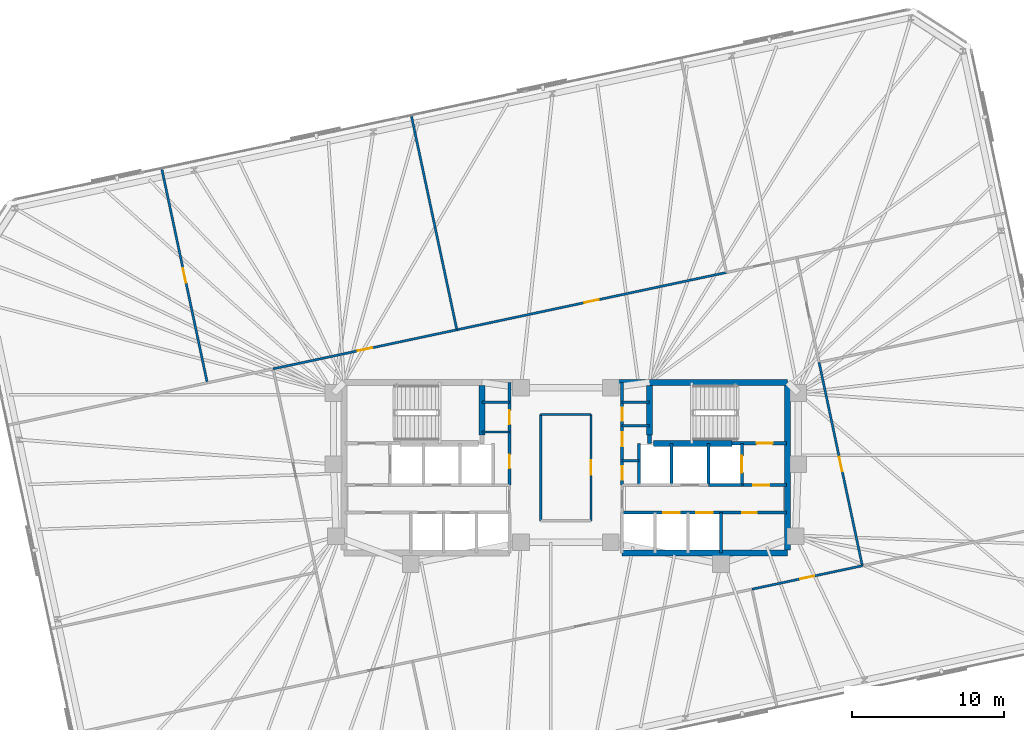
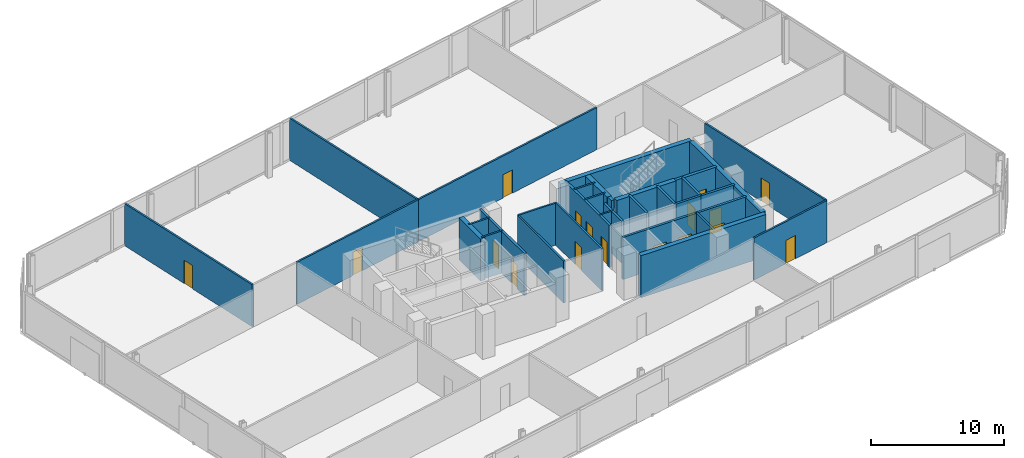
# One storey, part 12 of 15: 32 walls, 17 doors, 17 openings.
"""IFC4 building model written with IfcOpenShell, lengths in metres."""

from ifc_helpers import new_model, si_unit, direction, frame, frame_2d, origin, place, context, subcontext, project, spatial, rectangle, extrude, material, layer, layer_set, type_object, element, fill, save


model = new_model("IFC4")

# Units and contexts
model_context = context("Model", 3, precision=1e-05, world=origin(), true_north=direction((0.0, 1.0)))
body_context = subcontext(model_context, "Body", "Model", "MODEL_VIEW")
ifc_project = project(units=[si_unit("LENGTHUNIT", "METRE"), si_unit("AREAUNIT", "SQUARE_METRE"), si_unit("VOLUMEUNIT", "CUBIC_METRE"), si_unit("PLANEANGLEUNIT", "RADIAN"), si_unit("MASSUNIT", "GRAM", prefix="KILO")], contexts=[model_context])

# Site, building, storey
site_placement = place(None, origin())
site = spatial("IfcSite", under=ifc_project, at=site_placement, CompositionType="ELEMENT")
building_placement = place(site_placement, origin())
building = spatial("IfcBuilding", under=site, at=building_placement, Name="Menara Jurai Vektor", CompositionType="ELEMENT")
storey_placement = place(building_placement, frame((0.0, 0.0, 147.300048828125)))
storey = spatial("IfcBuildingStorey", under=building, at=storey_placement, Name="L37", CompositionType="ELEMENT", Elevation=147.300048828125)

# Wall, opening, door
ifc_material_1 = material(Name="Concrete C40/50", Category="concrete")
ifc_layer_1 = layer(ifc_material_1, 0.25)
ifc_layer_set_1 = layer_set([ifc_layer_1], Name="Concrete C40/50")
wall_type_1 = type_object("IfcWallType", Name="INT-WALL-CORE-250", PredefinedType="STANDARD", material=ifc_layer_set_1)
wall_1_placement = place(storey_placement, frame((10.89990234375, 1.60009765625, 0.0), z_axis=(0.0, 0.0, 1.0), x_axis=(1.0, 0.0, 0.0)))
wall_1 = element("IfcWall", 1, at=wall_1_placement, inside=storey, type_object=wall_type_1, Name="Interior Wall IW-250 L37", PredefinedType="STANDARD", context=body_context, shape_type="SweptSolid", body=[
    extrude(rectangle(XDim=3.60009765625, YDim=0.25, at=frame_2d((1.800048828125, 0.0))), origin(), (0.0, 0.0, 1.0), 3.875),
])
opening_1_placement = place(wall_1_placement, frame((1.6201171875, 0.0, 0.0)))
opening_1 = element("IfcOpeningElement", 2, at=opening_1_placement, cuts=wall_1, Name="Opening D-L37-ST2", PredefinedType="OPENING", context=body_context, shape_type="SweptSolid", body=[
    extrude(rectangle(XDim=1.050048828125, YDim=2.14990234375, at=frame_2d((0.52490234375, 1.074951171875))), frame((0.0, 0.135009765625, 0.0), z_axis=(0.0, -1.0, 0.0), x_axis=(1.0, 0.0, 0.0)), (0.0, 0.0, 1.0), 0.27001953125),
])
ifc_material_2 = material(Name="Fire-Rated Steel Door", Category="steel")
door_type_1 = type_object("IfcDoorType", Name="DR-STAIR-1050", OperationType="NOTDEFINED", PredefinedType="DOOR", material=ifc_material_2)
door_1_placement = place(opening_1_placement, origin())
door_1 = element("IfcDoor", 3, at=door_1_placement, inside=storey, type_object=door_type_1, Name="Exit Stair ST2 Door L37", OperationType="SINGLE_SWING_LEFT", OverallHeight=2.14990234375, OverallWidth=1.050048828125, PredefinedType="DOOR", context=body_context, shape_type="SweptSolid", body=[
    extrude(rectangle(XDim=1.050048828125, YDim=2.14990234375, at=frame_2d((0.52490234375, 1.074951171875))), frame((0.0, 0.02490234375, 0.0), z_axis=(0.0, -1.0, 0.0), x_axis=(1.0, 0.0, 0.0)), (0.0, 0.0, 1.0), 0.050048828125),
])
fill(opening_1, door_1)

# Wall
wall_2_placement = place(storey_placement, frame((5.5, 1.60009765625, 0.0), z_axis=(0.0, 0.0, 1.0), x_axis=(0.0, 1.0, 0.0)))
element("IfcWall", 4, at=wall_2_placement, inside=storey, type_object=wall_type_1, Name="Interior Wall IW-250 L37", PredefinedType="STANDARD", context=body_context, shape_type="SweptSolid", body=[
    extrude(rectangle(XDim=0.5498046875, YDim=0.25, at=frame_2d((0.27490234375, 0.0))), origin(), (0.0, 0.0, 1.0), 3.875),
])

# Wall, opening, door
wall_3_placement = place(storey_placement, frame((11.550048828125, -1.14990234375, 0.0), z_axis=(0.0, 0.0, 1.0), x_axis=(0.0, 1.0, 0.0)))
wall_3 = element("IfcWall", 5, at=wall_3_placement, inside=storey, type_object=wall_type_1, Name="Interior Wall IW-250 L37", PredefinedType="STANDARD", context=body_context, shape_type="SweptSolid", body=[
    extrude(rectangle(XDim=2.75, YDim=0.199951171875, at=frame_2d((1.375, 0.0))), origin(), (0.0, 0.0, 1.0), 3.875),
])
opening_2_placement = place(wall_3_placement, frame((0.824951171875, 0.0, 0.0)))
opening_2 = element("IfcOpeningElement", 6, at=opening_2_placement, cuts=wall_3, Name="Opening LD-L37-FL2", PredefinedType="OPENING", context=body_context, shape_type="SweptSolid", body=[
    extrude(rectangle(XDim=1.10009765625, YDim=2.14990234375, at=frame_2d((0.550048828125, 1.074951171875))), frame((0.0, 0.10986328125, 0.0), z_axis=(0.0, -1.0, 0.0), x_axis=(1.0, 0.0, 0.0)), (0.0, 0.0, 1.0), 0.219970703125),
])
ifc_material_3 = material(Name="Stainless Steel Sliding Lift Landing Door", Category="steel")
door_type_2 = type_object("IfcDoorType", Name="DR-LIFT-FIRE-1100", OperationType="NOTDEFINED", PredefinedType="DOOR", material=ifc_material_3)
door_2_placement = place(opening_2_placement, origin())
door_2 = element("IfcDoor", 7, at=door_2_placement, inside=storey, type_object=door_type_2, Name="Lift Landing Door FL2 L37", OperationType="SLIDING_TO_RIGHT", OverallHeight=2.14990234375, OverallWidth=1.10009765625, PredefinedType="DOOR", context=body_context, shape_type="SweptSolid", body=[
    extrude(rectangle(XDim=1.10009765625, YDim=2.14990234375, at=frame_2d((0.550048828125, 1.074951171875))), frame((0.0, 0.02490234375, 0.0), z_axis=(0.0, -1.0, 0.0), x_axis=(1.0, 0.0, 0.0)), (0.0, 0.0, 1.0), 0.050048828125),
])
fill(opening_2, door_2)

# Wall
wall_4_placement = place(storey_placement, frame((9.35009765625, -1.14990234375, 0.0), z_axis=(0.0, 0.0, 1.0), x_axis=(0.0, 1.0, 0.0)))
element("IfcWall", 8, at=wall_4_placement, inside=storey, type_object=wall_type_1, Name="Interior Wall IW-250 L37", PredefinedType="STANDARD", context=body_context, shape_type="SweptSolid", body=[
    extrude(rectangle(XDim=2.75, YDim=0.199951171875, at=frame_2d((1.375, 0.0))), origin(), (0.0, 0.0, 1.0), 3.875),
])

# Wall, opening, door
wall_5_placement = place(storey_placement, frame((11.550048828125, -1.14990234375, 0.0), z_axis=(0.0, 0.0, 1.0), x_axis=(1.0, 0.0, 0.0)))
wall_5 = element("IfcWall", 9, at=wall_5_placement, inside=storey, type_object=wall_type_1, Name="Interior Wall IW-250 L37", PredefinedType="STANDARD", context=body_context, shape_type="SweptSolid", body=[
    extrude(rectangle(XDim=2.949951171875, YDim=0.199951171875, at=frame_2d((1.47509765625, 0.0))), origin(), (0.0, 0.0, 1.0), 3.875),
])
opening_3_placement = place(wall_5_placement, frame((0.75, 0.0, 0.0)))
opening_3 = element("IfcOpeningElement", 10, at=opening_3_placement, cuts=wall_5, Name="Opening D-L37-FFE", PredefinedType="OPENING", context=body_context, shape_type="SweptSolid", body=[
    extrude(rectangle(XDim=1.050048828125, YDim=2.179931640625, at=frame_2d((0.52490234375, 1.08984375))), frame((0.0, 0.10986328125, 0.0), z_axis=(0.0, -1.0, 0.0), x_axis=(1.0, 0.0, 0.0)), (0.0, 0.0, 1.0), 0.219970703125),
])
ifc_material_4 = material(Name="Fire-Rated Timber Door", Category="wood")
door_type_3 = type_object("IfcDoorType", Name="DR-LOBBY-1050", OperationType="NOTDEFINED", PredefinedType="DOOR", material=ifc_material_4)
door_3_placement = place(opening_3_placement, origin())
door_3 = element("IfcDoor", 11, at=door_3_placement, inside=storey, type_object=door_type_3, Name="Fire Lift Lobby Door E L37", OperationType="SINGLE_SWING_LEFT", OverallHeight=2.179931640625, OverallWidth=1.050048828125, PredefinedType="DOOR", context=body_context, shape_type="SweptSolid", body=[
    extrude(rectangle(XDim=1.050048828125, YDim=2.179931640625, at=frame_2d((0.52490234375, 1.08984375))), frame((0.0, 0.02490234375, 0.0), z_axis=(0.0, -1.0, 0.0), x_axis=(1.0, 0.0, 0.0)), (0.0, 0.0, 1.0), 0.050048828125),
])
fill(opening_3, door_3)

# Walls
wall_6_placement = place(storey_placement, frame((9.35009765625, -1.14990234375, 0.0), z_axis=(0.0, 0.0, 1.0), x_axis=(1.0, 0.0, 0.0)))
element("IfcWall", 12, at=wall_6_placement, inside=storey, type_object=wall_type_1, Name="Interior Wall IW-250 L37", PredefinedType="STANDARD", context=body_context, shape_type="SweptSolid", body=[
    extrude(rectangle(XDim=2.199951171875, YDim=0.199951171875, at=frame_2d((1.10009765625, 0.0))), origin(), (0.0, 0.0, 1.0), 3.875),
])
ifc_material_5 = material(Name="Gypsum Fireboard Partition", Category="gypsum")
ifc_layer_2 = layer(ifc_material_5, 0.14990234375)
ifc_layer_set_2 = layer_set([ifc_layer_2], Name="Gypsum Fireboard Partition")
wall_type_2 = type_object("IfcWallType", Name="INT-WALL-CORR-150", PredefinedType="PARTITIONING", material=ifc_layer_set_2)
for number, where, z_axis, x_axis, name in (
    (13, (-5.5, 4.300048828125, 0.0), (0.0, 0.0, 1.0), (1.0, 0.0, 0.0), "Interior Wall IW-150 L37"),
    (14, (-5.5, 2.35009765625, 0.0), (0.0, 0.0, 1.0), (1.0, 0.0, 0.0), "Interior Wall IW-150 L37"),
    (15, (3.699951171875, 4.300048828125, 0.0), (0.0, 0.0, 1.0), (1.0, 0.0, 0.0), "Interior Wall IW-150 L37"),
):
    element("IfcWall", number, at=place(storey_placement, frame(where, z_axis=z_axis, x_axis=x_axis)), inside=storey, type_object=wall_type_2, Name=name, PredefinedType="PARTITIONING", context=body_context, shape_type="SweptSolid", body=[
        extrude(rectangle(XDim=1.800048828125, YDim=0.14990234375, at=frame_2d((0.89990234375, 0.0))), origin(), (0.0, 0.0, 1.0), 3.875),
    ])
wall_7_placement = place(storey_placement, frame((3.699951171875, 0.449951171875, 0.0), z_axis=(0.0, 0.0, 1.0), x_axis=(1.0, 0.0, 0.0)))
element("IfcWall", 16, at=wall_7_placement, inside=storey, type_object=wall_type_2, Name="Interior Wall IW-150 L37", PredefinedType="PARTITIONING", context=body_context, shape_type="SweptSolid", body=[
    extrude(rectangle(XDim=1.090087890625, YDim=0.14990234375, at=frame_2d((0.544921875, 0.0))), origin(), (0.0, 0.0, 1.0), 3.875),
])
wall_8_placement = place(storey_placement, frame((3.699951171875, 2.75, 0.0), z_axis=(0.0, 0.0, 1.0), x_axis=(1.0, 0.0, 0.0)))
element("IfcWall", 17, at=wall_8_placement, inside=storey, type_object=wall_type_2, Name="Interior Wall IW-150 L37", PredefinedType="PARTITIONING", context=body_context, shape_type="SweptSolid", body=[
    extrude(rectangle(XDim=1.800048828125, YDim=0.14990234375, at=frame_2d((0.89990234375, 0.0))), origin(), (0.0, 0.0, 1.0), 3.875),
])
wall_9_placement = place(storey_placement, frame((-1.64990234375, -3.489501953125, 0.0), z_axis=(0.0, 0.0, 1.0), x_axis=(-3.4979712e-05, 0.999999999388, 0.0)))
element("IfcWall", 18, at=wall_9_placement, inside=storey, type_object=wall_type_2, Name="Interior Wall IW-150 L37", PredefinedType="PARTITIONING", context=body_context, shape_type="SweptSolid", body=[
    extrude(rectangle(XDim=6.9794921875, YDim=0.14990234375, at=frame_2d((3.48974609375, 0.0))), origin(), (0.0, 0.0, 1.0), 3.875),
])
wall_10_placement = place(storey_placement, frame((-1.650146484375, 3.489990234375, 0.0), z_axis=(0.0, 0.0, 1.0), x_axis=(1.0, 0.0, 0.0)))
element("IfcWall", 19, at=wall_10_placement, inside=storey, type_object=wall_type_2, Name="Interior Wall IW-150 L37", PredefinedType="PARTITIONING", context=body_context, shape_type="SweptSolid", body=[
    extrude(rectangle(XDim=3.300048828125, YDim=0.14990234375, at=frame_2d((1.64990234375, 0.0))), origin(), (0.0, 0.0, 1.0), 3.875),
])

# Wall, opening, door
wall_11_placement = place(storey_placement, frame((1.650390625, -3.490234375, 0.0), z_axis=(0.0, 0.0, 1.0), x_axis=(-6.9952083e-05, 0.999999997553, 0.0)))
wall_11 = element("IfcWall", 20, at=wall_11_placement, inside=storey, type_object=wall_type_2, Name="Interior Wall IW-150 L37", PredefinedType="PARTITIONING", context=body_context, shape_type="SweptSolid", body=[
    extrude(rectangle(XDim=6.980224609375, YDim=0.14990234375, at=frame_2d((3.490234375, 0.0))), origin(), (0.0, 0.0, 1.0), 3.875),
])
opening_4_placement = place(wall_11_placement, frame((3.01513671875, 0.0, 0.0)))
opening_4 = element("IfcOpeningElement", 21, at=opening_4_placement, cuts=wall_11, Name="Opening D37-08", PredefinedType="OPENING", context=body_context, shape_type="SweptSolid", body=[
    extrude(rectangle(XDim=0.949951171875, YDim=2.14990234375, at=frame_2d((0.47509765625, 1.074951171875))), frame((0.0, 0.0849609375, 0.0), z_axis=(0.0, -1.0, 0.0), x_axis=(1.0, 0.0, 0.0)), (0.0, 0.0, 1.0), 0.169921875),
])
ifc_material_6 = material(Name="Solid Core Timber Fire Door", Category="wood")
door_type_4 = type_object("IfcDoorType", Name="DR-ENTRY-950", OperationType="NOTDEFINED", PredefinedType="DOOR", material=ifc_material_6)
door_4_placement = place(opening_4_placement, origin())
door_4 = element("IfcDoor", 22, at=door_4_placement, inside=storey, type_object=door_type_4, Name="Interior Door D37-08", OperationType="SINGLE_SWING_LEFT", OverallHeight=2.14990234375, OverallWidth=0.949951171875, PredefinedType="DOOR", context=body_context, shape_type="SweptSolid", body=[
    extrude(rectangle(XDim=0.949951171875, YDim=2.14990234375, at=frame_2d((0.47509765625, 1.074951171875))), frame((0.0, 0.02490234375, 0.0), z_axis=(0.0, -1.0, 0.0), x_axis=(1.0, 0.0, 0.0)), (0.0, 0.0, 1.0), 0.050048828125),
])
fill(opening_4, door_4)

wall_12_placement = place(storey_placement, frame((-19.216552734375, 6.4892578125, 0.0), z_axis=(0.0, 0.0, 1.0), x_axis=(0.978147578989, 0.207911793121, 0.0)))
wall_12 = element("IfcWall", 23, at=wall_12_placement, inside=storey, type_object=wall_type_2, Name="Interior Wall IW-150 L37", PredefinedType="PARTITIONING", context=body_context, shape_type="SweptSolid", body=[
    extrude(rectangle(XDim=12.33203125, YDim=0.14990234375, at=frame_2d((6.166015625, 0.0))), origin(), (0.0, 0.0, 1.0), 3.875),
])
opening_5_placement = place(wall_12_placement, frame((5.69091796875, 0.0, 0.0)))
opening_5 = element("IfcOpeningElement", 24, at=opening_5_placement, cuts=wall_12, Name="Opening D37-09", PredefinedType="OPENING", context=body_context, shape_type="SweptSolid", body=[
    extrude(rectangle(XDim=0.949951171875, YDim=2.14990234375, at=frame_2d((0.47509765625, 1.074951171875))), frame((0.0, 0.0849609375, 0.0), z_axis=(0.0, -1.0, 0.0), x_axis=(1.0, 0.0, 0.0)), (0.0, 0.0, 1.0), 0.169921875),
])
door_5_placement = place(opening_5_placement, origin())
door_5 = element("IfcDoor", 25, at=door_5_placement, inside=storey, type_object=door_type_4, Name="Interior Door D37-09", OperationType="SINGLE_SWING_RIGHT", OverallHeight=2.14990234375, OverallWidth=0.949951171875, PredefinedType="DOOR", context=body_context, shape_type="SweptSolid", body=[
    extrude(rectangle(XDim=0.949951171875, YDim=2.14990234375, at=frame_2d((0.47509765625, 1.074951171875))), frame((0.0, 0.02490234375, 0.0), z_axis=(0.0, -1.0, 0.0), x_axis=(1.0, 0.0, 0.0)), (0.0, 0.0, 1.0), 0.050048828125),
])
fill(opening_5, door_5)

wall_13_placement = place(storey_placement, frame((-7.154052734375, 9.05322265625, 0.0), z_axis=(0.0, 0.0, 1.0), x_axis=(0.978146707289, 0.207915894099, 0.0)))
wall_13 = element("IfcWall", 26, at=wall_13_placement, inside=storey, type_object=wall_type_2, Name="Interior Wall IW-150 L37", PredefinedType="PARTITIONING", context=body_context, shape_type="SweptSolid", body=[
    extrude(rectangle(XDim=18.090087890625, YDim=0.14990234375, at=frame_2d((9.044921875, 0.0))), origin(), (0.0, 0.0, 1.0), 3.875),
])
opening_6_placement = place(wall_13_placement, frame((8.570068359375, 0.0, 0.0)))
opening_6 = element("IfcOpeningElement", 27, at=opening_6_placement, cuts=wall_13, Name="Opening D37-10", PredefinedType="OPENING", context=body_context, shape_type="SweptSolid", body=[
    extrude(rectangle(XDim=0.949951171875, YDim=2.14990234375, at=frame_2d((0.47509765625, 1.074951171875))), frame((0.0, 0.0849609375, 0.0), z_axis=(0.0, -1.0, 0.0), x_axis=(1.0, 0.0, 0.0)), (0.0, 0.0, 1.0), 0.169921875),
])
door_6_placement = place(opening_6_placement, origin())
door_6 = element("IfcDoor", 28, at=door_6_placement, inside=storey, type_object=door_type_4, Name="Interior Door D37-10", OperationType="SINGLE_SWING_LEFT", OverallHeight=2.14990234375, OverallWidth=0.949951171875, PredefinedType="DOOR", context=body_context, shape_type="SweptSolid", body=[
    extrude(rectangle(XDim=0.949951171875, YDim=2.14990234375, at=frame_2d((0.47509765625, 1.074951171875))), frame((0.0, 0.02490234375, 0.0), z_axis=(0.0, -1.0, 0.0), x_axis=(1.0, 0.0, 0.0)), (0.0, 0.0, 1.0), 0.050048828125),
])
fill(opening_6, door_6)

wall_14_placement = place(storey_placement, frame((12.219970703125, -7.975830078125, 0.0), z_axis=(0.0, 0.0, 1.0), x_axis=(0.978150468613, 0.207898198049, 0.0)))
wall_14 = element("IfcWall", 29, at=wall_14_placement, inside=storey, type_object=wall_type_2, Name="Interior Wall IW-150 L37", PredefinedType="PARTITIONING", context=body_context, shape_type="SweptSolid", body=[
    extrude(rectangle(XDim=7.403076171875, YDim=0.14990234375, at=frame_2d((3.70166015625, 0.0))), origin(), (0.0, 0.0, 1.0), 3.875),
])
opening_7_placement = place(wall_14_placement, frame((3.2265625, 0.0, 0.0)))
opening_7 = element("IfcOpeningElement", 30, at=opening_7_placement, cuts=wall_14, Name="Opening D37-14", PredefinedType="OPENING", context=body_context, shape_type="SweptSolid", body=[
    extrude(rectangle(XDim=0.949951171875, YDim=2.14990234375, at=frame_2d((0.47509765625, 1.074951171875))), frame((0.0, 0.0849609375, 0.0), z_axis=(0.0, -1.0, 0.0), x_axis=(1.0, 0.0, 0.0)), (0.0, 0.0, 1.0), 0.169921875),
])
door_7_placement = place(opening_7_placement, origin())
door_7 = element("IfcDoor", 31, at=door_7_placement, inside=storey, type_object=door_type_4, Name="Interior Door D37-14", OperationType="SINGLE_SWING_LEFT", OverallHeight=2.14990234375, OverallWidth=0.949951171875, PredefinedType="DOOR", context=body_context, shape_type="SweptSolid", body=[
    extrude(rectangle(XDim=0.949951171875, YDim=2.14990234375, at=frame_2d((0.47509765625, 1.074951171875))), frame((0.0, 0.02490234375, 0.0), z_axis=(0.0, -1.0, 0.0), x_axis=(1.0, 0.0, 0.0)), (0.0, 0.0, 1.0), 0.050048828125),
])
fill(opening_7, door_7)

wall_15_placement = place(storey_placement, frame((19.461181640625, -6.436767578125, 0.0), z_axis=(0.0, 0.0, 1.0), x_axis=(-0.207908161816, 0.97814835084, 0.0)))
wall_15 = element("IfcWall", 32, at=wall_15_placement, inside=storey, type_object=wall_type_2, Name="Interior Wall IW-150 L37", PredefinedType="PARTITIONING", context=body_context, shape_type="SweptSolid", body=[
    extrude(rectangle(XDim=13.652099609375, YDim=0.14990234375, at=frame_2d((6.826171875, 0.0))), origin(), (0.0, 0.0, 1.0), 3.875),
])
opening_8_placement = place(wall_15_placement, frame((6.35107421875, 0.0, 0.0)))
opening_8 = element("IfcOpeningElement", 33, at=opening_8_placement, cuts=wall_15, Name="Opening D37-17", PredefinedType="OPENING", context=body_context, shape_type="SweptSolid", body=[
    extrude(rectangle(XDim=0.949951171875, YDim=2.14990234375, at=frame_2d((0.47509765625, 1.074951171875))), frame((0.0, 0.0849609375, 0.0), z_axis=(0.0, -1.0, 0.0), x_axis=(1.0, 0.0, 0.0)), (0.0, 0.0, 1.0), 0.169921875),
])
door_8_placement = place(opening_8_placement, origin())
door_8 = element("IfcDoor", 34, at=door_8_placement, inside=storey, type_object=door_type_4, Name="Interior Door D37-17", OperationType="SINGLE_SWING_RIGHT", OverallHeight=2.14990234375, OverallWidth=0.949951171875, PredefinedType="DOOR", context=body_context, shape_type="SweptSolid", body=[
    extrude(rectangle(XDim=0.949951171875, YDim=2.14990234375, at=frame_2d((0.47509765625, 1.074951171875))), frame((0.0, 0.02490234375, 0.0), z_axis=(0.0, -1.0, 0.0), x_axis=(1.0, 0.0, 0.0)), (0.0, 0.0, 1.0), 0.050048828125),
])
fill(opening_8, door_8)

wall_16_placement = place(storey_placement, frame((-23.5380859375, 5.57080078125, 0.0), z_axis=(0.0, 0.0, 1.0), x_axis=(-0.207915348705, 0.978146823219, 0.0)))
wall_16 = element("IfcWall", 35, at=wall_16_placement, inside=storey, type_object=wall_type_2, Name="Interior Wall IW-150 L37", PredefinedType="PARTITIONING", context=body_context, shape_type="SweptSolid", body=[
    extrude(rectangle(XDim=14.394775390625, YDim=0.14990234375, at=frame_2d((7.197265625, 0.0))), origin(), (0.0, 0.0, 1.0), 3.875),
])
opening_9_placement = place(wall_16_placement, frame((6.722412109375, 0.0, 0.0)))
opening_9 = element("IfcOpeningElement", 36, at=opening_9_placement, cuts=wall_16, Name="Opening D37-19", PredefinedType="OPENING", context=body_context, shape_type="SweptSolid", body=[
    extrude(rectangle(XDim=0.949951171875, YDim=2.14990234375, at=frame_2d((0.47509765625, 1.074951171875))), frame((0.0, 0.0849609375, 0.0), z_axis=(0.0, -1.0, 0.0), x_axis=(1.0, 0.0, 0.0)), (0.0, 0.0, 1.0), 0.169921875),
])
door_9_placement = place(opening_9_placement, origin())
door_9 = element("IfcDoor", 37, at=door_9_placement, inside=storey, type_object=door_type_4, Name="Interior Door D37-19", OperationType="SINGLE_SWING_RIGHT", OverallHeight=2.14990234375, OverallWidth=0.949951171875, PredefinedType="DOOR", context=body_context, shape_type="SweptSolid", body=[
    extrude(rectangle(XDim=0.949951171875, YDim=2.14990234375, at=frame_2d((0.47509765625, 1.074951171875))), frame((0.0, 0.02490234375, 0.0), z_axis=(0.0, -1.0, 0.0), x_axis=(1.0, 0.0, 0.0)), (0.0, 0.0, 1.0), 0.050048828125),
])
fill(opening_9, door_9)

# Wall
wall_17_placement = place(storey_placement, frame((-7.154052734375, 9.05322265625, 0.0), z_axis=(0.0, 0.0, 1.0), x_axis=(-0.207911899531, 0.97814755637, 0.0)))
element("IfcWall", 38, at=wall_17_placement, inside=storey, type_object=wall_type_2, Name="Interior Wall IW-150 L37", PredefinedType="PARTITIONING", context=body_context, shape_type="SweptSolid", body=[
    extrude(rectangle(XDim=14.39501953125, YDim=0.14990234375, at=frame_2d((7.197509765625, 0.0))), origin(), (0.0, 0.0, 1.0), 3.875),
])

# Wall, openings, doors
ifc_layer_3 = layer(ifc_material_1, 0.199951171875)
ifc_layer_set_3 = layer_set([ifc_layer_3], Name="Concrete C40/50")
wall_type_3 = type_object("IfcWallType", Name="INT-WALL-SHAFT-200", PredefinedType="STANDARD", material=ifc_layer_set_3)
wall_18_placement = place(storey_placement, frame((-3.699951171875, -1.14990234375, 0.0), z_axis=(0.0, 0.0, 1.0), x_axis=(0.0, 1.0, 0.0)))
wall_18 = element("IfcWall", 39, at=wall_18_placement, inside=storey, type_object=wall_type_3, Name="Interior Wall IW-200 L37", PredefinedType="STANDARD", context=body_context, shape_type="SweptSolid", body=[
    extrude(rectangle(XDim=6.75, YDim=0.199951171875, at=frame_2d((3.375, 0.0))), origin(), (0.0, 0.0, 1.0), 3.875),
])
opening_10_placement = place(wall_18_placement, frame((1.10009765625, 0.0, 0.0)))
opening_10 = element("IfcOpeningElement", 40, at=opening_10_placement, cuts=wall_18, Name="Opening D37-02", PredefinedType="OPENING", context=body_context, shape_type="SweptSolid", body=[
    extrude(rectangle(XDim=0.89990234375, YDim=2.14990234375, at=frame_2d((0.449951171875, 1.074951171875))), frame((0.0, 0.10986328125, 0.0), z_axis=(0.0, -1.0, 0.0), x_axis=(1.0, 0.0, 0.0)), (0.0, 0.0, 1.0), 0.219970703125),
])
opening_11_placement = place(wall_18_placement, frame((4.0, 0.0, 0.0)))
opening_11 = element("IfcOpeningElement", 41, at=opening_11_placement, cuts=wall_18, Name="Opening D37-03", PredefinedType="OPENING", context=body_context, shape_type="SweptSolid", body=[
    extrude(rectangle(XDim=0.919921875, YDim=2.14990234375, at=frame_2d((0.4599609375, 1.074951171875))), frame((0.0, 0.10986328125, 0.0), z_axis=(0.0, -1.0, 0.0), x_axis=(1.0, 0.0, 0.0)), (0.0, 0.0, 1.0), 0.219970703125),
])
door_10_placement = place(opening_10_placement, origin())
door_10 = element("IfcDoor", 42, at=door_10_placement, inside=storey, type_object=door_type_4, Name="Interior Door D37-02", OperationType="SINGLE_SWING_LEFT", OverallHeight=2.14990234375, OverallWidth=0.89990234375, PredefinedType="DOOR", context=body_context, shape_type="SweptSolid", body=[
    extrude(rectangle(XDim=0.89990234375, YDim=2.14990234375, at=frame_2d((0.449951171875, 1.074951171875))), frame((0.0, 0.02490234375, 0.0), z_axis=(0.0, -1.0, 0.0), x_axis=(1.0, 0.0, 0.0)), (0.0, 0.0, 1.0), 0.050048828125),
])
fill(opening_10, door_10)
door_11_placement = place(opening_11_placement, origin())
door_11 = element("IfcDoor", 43, at=door_11_placement, inside=storey, type_object=door_type_4, Name="Interior Door D37-03", OperationType="SINGLE_SWING_LEFT", OverallHeight=2.14990234375, OverallWidth=0.919921875, PredefinedType="DOOR", context=body_context, shape_type="SweptSolid", body=[
    extrude(rectangle(XDim=0.919921875, YDim=2.14990234375, at=frame_2d((0.4599609375, 1.074951171875))), frame((0.0, 0.02490234375, 0.0), z_axis=(0.0, -1.0, 0.0), x_axis=(1.0, 0.0, 0.0)), (0.0, 0.0, 1.0), 0.050048828125),
])
fill(opening_11, door_11)

wall_19_placement = place(storey_placement, frame((3.699951171875, -1.14990234375, 0.0), z_axis=(0.0, 0.0, 1.0), x_axis=(0.0, 1.0, 0.0)))
wall_19 = element("IfcWall", 44, at=wall_19_placement, inside=storey, type_object=wall_type_3, Name="Interior Wall IW-200 L37", PredefinedType="STANDARD", context=body_context, shape_type="SweptSolid", body=[
    extrude(rectangle(XDim=6.75, YDim=0.199951171875, at=frame_2d((3.375, 0.0))), origin(), (0.0, 0.0, 1.0), 3.875),
])
opening_12_placement = place(wall_19_placement, frame((0.35009765625, 0.0, 0.0)))
opening_12 = element("IfcOpeningElement", 45, at=opening_12_placement, cuts=wall_19, Name="Opening D37-05", PredefinedType="OPENING", context=body_context, shape_type="SweptSolid", body=[
    extrude(rectangle(XDim=0.8798828125, YDim=2.14990234375, at=frame_2d((0.43994140625, 1.074951171875))), frame((0.0, 0.10986328125, 0.0), z_axis=(0.0, -1.0, 0.0), x_axis=(1.0, 0.0, 0.0)), (0.0, 0.0, 1.0), 0.219970703125),
])
opening_13_placement = place(wall_19_placement, frame((2.550048828125, 0.0, 0.0)))
opening_13 = element("IfcOpeningElement", 46, at=opening_13_placement, cuts=wall_19, Name="Opening D37-06", PredefinedType="OPENING", context=body_context, shape_type="SweptSolid", body=[
    extrude(rectangle(XDim=0.919921875, YDim=2.14990234375, at=frame_2d((0.4599609375, 1.074951171875))), frame((0.0, 0.10986328125, 0.0), z_axis=(0.0, -1.0, 0.0), x_axis=(1.0, 0.0, 0.0)), (0.0, 0.0, 1.0), 0.219970703125),
])
opening_14_placement = place(wall_19_placement, frame((4.219970703125, 0.0, 0.0)))
opening_14 = element("IfcOpeningElement", 47, at=opening_14_placement, cuts=wall_19, Name="Opening D37-07", PredefinedType="OPENING", context=body_context, shape_type="SweptSolid", body=[
    extrude(rectangle(XDim=0.8798828125, YDim=2.14990234375, at=frame_2d((0.43994140625, 1.074951171875))), frame((0.0, 0.10986328125, 0.0), z_axis=(0.0, -1.0, 0.0), x_axis=(1.0, 0.0, 0.0)), (0.0, 0.0, 1.0), 0.219970703125),
])
door_12_placement = place(opening_12_placement, origin())
door_12 = element("IfcDoor", 48, at=door_12_placement, inside=storey, type_object=door_type_4, Name="Interior Door D37-05", OperationType="SINGLE_SWING_RIGHT", OverallHeight=2.14990234375, OverallWidth=0.8798828125, PredefinedType="DOOR", context=body_context, shape_type="SweptSolid", body=[
    extrude(rectangle(XDim=0.8798828125, YDim=2.14990234375, at=frame_2d((0.43994140625, 1.074951171875))), frame((0.0, 0.02490234375, 0.0), z_axis=(0.0, -1.0, 0.0), x_axis=(1.0, 0.0, 0.0)), (0.0, 0.0, 1.0), 0.050048828125),
])
fill(opening_12, door_12)
door_13_placement = place(opening_13_placement, origin())
door_13 = element("IfcDoor", 49, at=door_13_placement, inside=storey, type_object=door_type_4, Name="Interior Door D37-06", OperationType="SINGLE_SWING_RIGHT", OverallHeight=2.14990234375, OverallWidth=0.919921875, PredefinedType="DOOR", context=body_context, shape_type="SweptSolid", body=[
    extrude(rectangle(XDim=0.919921875, YDim=2.14990234375, at=frame_2d((0.4599609375, 1.074951171875))), frame((0.0, 0.02490234375, 0.0), z_axis=(0.0, -1.0, 0.0), x_axis=(1.0, 0.0, 0.0)), (0.0, 0.0, 1.0), 0.050048828125),
])
fill(opening_13, door_13)
door_14_placement = place(opening_14_placement, origin())
door_14 = element("IfcDoor", 50, at=door_14_placement, inside=storey, type_object=door_type_4, Name="Interior Door D37-07", OperationType="SINGLE_SWING_RIGHT", OverallHeight=2.14990234375, OverallWidth=0.8798828125, PredefinedType="DOOR", context=body_context, shape_type="SweptSolid", body=[
    extrude(rectangle(XDim=0.8798828125, YDim=2.14990234375, at=frame_2d((0.43994140625, 1.074951171875))), frame((0.0, 0.02490234375, 0.0), z_axis=(0.0, -1.0, 0.0), x_axis=(1.0, 0.0, 0.0)), (0.0, 0.0, 1.0), 0.050048828125),
])
fill(opening_14, door_14)

# Walls
for number, where, z_axis, x_axis, name in (
    (51, (6.949951171875, -1.14990234375, 0.0), (0.0, 0.0, 1.0), (0.0, 1.0, 0.0), "Interior Wall IW-200 L37"),
    (52, (4.7900390625, -1.14990234375, 0.0), (0.0, 0.0, 1.0), (0.0, 1.0, 0.0), "Interior Wall IW-200 L37"),
):
    element("IfcWall", number, at=place(storey_placement, frame(where, z_axis=z_axis, x_axis=x_axis)), inside=storey, type_object=wall_type_3, Name=name, PredefinedType="STANDARD", context=body_context, shape_type="SweptSolid", body=[
        extrude(rectangle(XDim=2.75, YDim=0.199951171875, at=frame_2d((1.375, 0.0))), origin(), (0.0, 0.0, 1.0), 3.875),
    ])

# Wall, openings, doors
wall_20_placement = place(storey_placement, frame((3.699951171875, -2.949951171875, 0.0), z_axis=(0.0, 0.0, 1.0), x_axis=(1.0, 0.0, 0.0)))
wall_20 = element("IfcWall", 53, at=wall_20_placement, inside=storey, type_object=wall_type_3, Name="Interior Wall IW-200 L37", PredefinedType="STANDARD", context=body_context, shape_type="SweptSolid", body=[
    extrude(rectangle(XDim=10.800048828125, YDim=0.199951171875, at=frame_2d((5.39990234375, 0.0))), origin(), (0.0, 0.0, 1.0), 3.875),
])
opening_15_placement = place(wall_20_placement, frame((2.68994140625, 0.0, 0.0)))
opening_15 = element("IfcOpeningElement", 54, at=opening_15_placement, cuts=wall_20, Name="Opening LD-L37-PM3", PredefinedType="OPENING", context=body_context, shape_type="SweptSolid", body=[
    extrude(rectangle(XDim=1.10009765625, YDim=2.14990234375, at=frame_2d((0.550048828125, 1.074951171875))), frame((0.0, 0.10986328125, 0.0), z_axis=(0.0, -1.0, 0.0), x_axis=(1.0, 0.0, 0.0)), (0.0, 0.0, 1.0), 0.219970703125),
])
opening_16_placement = place(wall_20_placement, frame((4.85009765625, 0.0, 0.0)))
opening_16 = element("IfcOpeningElement", 55, at=opening_16_placement, cuts=wall_20, Name="Opening LD-L37-PM4", PredefinedType="OPENING", context=body_context, shape_type="SweptSolid", body=[
    extrude(rectangle(XDim=1.10009765625, YDim=2.14990234375, at=frame_2d((0.550048828125, 1.074951171875))), frame((0.0, 0.10986328125, 0.0), z_axis=(0.0, -1.0, 0.0), x_axis=(1.0, 0.0, 0.0)), (0.0, 0.0, 1.0), 0.219970703125),
])
opening_17_placement = place(wall_20_placement, frame((7.8798828125, 0.0, 0.0)))
opening_17 = element("IfcOpeningElement", 56, at=opening_17_placement, cuts=wall_20, Name="Opening D37-04", PredefinedType="OPENING", context=body_context, shape_type="SweptSolid", body=[
    extrude(rectangle(XDim=0.949951171875, YDim=2.14990234375, at=frame_2d((0.47509765625, 1.074951171875))), frame((0.0, 0.10986328125, 0.0), z_axis=(0.0, -1.0, 0.0), x_axis=(1.0, 0.0, 0.0)), (0.0, 0.0, 1.0), 0.219970703125),
])
door_15_placement = place(opening_17_placement, origin())
door_15 = element("IfcDoor", 57, at=door_15_placement, inside=storey, type_object=door_type_4, Name="Interior Door D37-04", OperationType="SINGLE_SWING_LEFT", OverallHeight=2.14990234375, OverallWidth=0.949951171875, PredefinedType="DOOR", context=body_context, shape_type="SweptSolid", body=[
    extrude(rectangle(XDim=0.949951171875, YDim=2.14990234375, at=frame_2d((0.47509765625, 1.074951171875))), frame((0.0, 0.02490234375, 0.0), z_axis=(0.0, -1.0, 0.0), x_axis=(1.0, 0.0, 0.0)), (0.0, 0.0, 1.0), 0.050048828125),
])
fill(opening_17, door_15)
ifc_material_7 = material(Name="Anodised Stainless Sliding Lift Landing Door", Category="steel")
door_type_5 = type_object("IfcDoorType", Name="DR-LIFT-PASS-1100", OperationType="NOTDEFINED", PredefinedType="DOOR", material=ifc_material_7)
door_16_placement = place(opening_15_placement, origin())
door_16 = element("IfcDoor", 58, at=door_16_placement, inside=storey, type_object=door_type_5, Name="Lift Landing Door PM3 L37", OperationType="SLIDING_TO_LEFT", OverallHeight=2.14990234375, OverallWidth=1.10009765625, PredefinedType="DOOR", context=body_context, shape_type="SweptSolid", body=[
    extrude(rectangle(XDim=1.10009765625, YDim=2.14990234375, at=frame_2d((0.550048828125, 1.074951171875))), frame((0.0, 0.02490234375, 0.0), z_axis=(0.0, -1.0, 0.0), x_axis=(1.0, 0.0, 0.0)), (0.0, 0.0, 1.0), 0.050048828125),
])
fill(opening_15, door_16)
door_17_placement = place(opening_16_placement, origin())
door_17 = element("IfcDoor", 59, at=door_17_placement, inside=storey, type_object=door_type_5, Name="Lift Landing Door PM4 L37", OperationType="SLIDING_TO_RIGHT", OverallHeight=2.14990234375, OverallWidth=1.10009765625, PredefinedType="DOOR", context=body_context, shape_type="SweptSolid", body=[
    extrude(rectangle(XDim=1.10009765625, YDim=2.14990234375, at=frame_2d((0.550048828125, 1.074951171875))), frame((0.0, 0.02490234375, 0.0), z_axis=(0.0, -1.0, 0.0), x_axis=(1.0, 0.0, 0.0)), (0.0, 0.0, 1.0), 0.050048828125),
])
fill(opening_16, door_17)

# Walls
wall_21_placement = place(storey_placement, frame((10.179931640625, -5.60009765625, 0.0), z_axis=(0.0, 0.0, 1.0), x_axis=(0.0, 1.0, 0.0)))
element("IfcWall", 60, at=wall_21_placement, inside=storey, type_object=wall_type_3, Name="Interior Wall IW-200 L37", PredefinedType="STANDARD", context=body_context, shape_type="SweptSolid", body=[
    extrude(rectangle(XDim=2.650146484375, YDim=0.179931640625, at=frame_2d((1.3251953125, 0.0))), origin(), (0.0, 0.0, 1.0), 3.875),
])
ifc_material_8 = material(Name="Concrete C50/60", Category="concrete")
ifc_layer_4 = layer(ifc_material_8, 0.39990234375)
ifc_layer_set_4 = layer_set([ifc_layer_4], Name="Concrete C50/60")
wall_type_4 = type_object("IfcWallType", Name="STR-WALL-CORE400", PredefinedType="SHEAR", material=ifc_layer_set_4)
wall_22_placement = place(storey_placement, frame((-5.5, 2.14990234375, 0.0), z_axis=(0.0, 0.0, 1.0), x_axis=(0.0, 1.0, 0.0)))
element("IfcWall", 61, at=wall_22_placement, inside=storey, type_object=wall_type_4, Name="Core Shear Wall CW-W-ST L37", PredefinedType="SHEAR", context=body_context, shape_type="SweptSolid", body=[
    extrude(rectangle(XDim=3.25, YDim=0.39990234375, at=frame_2d((1.625, 0.0))), origin(), (0.0, 0.0, 1.0), 3.875),
])
wall_23_placement = place(storey_placement, frame((3.14990234375, 5.60009765625, 0.0), z_axis=(0.0, 0.0, 1.0), x_axis=(1.0, 0.0, 0.0)))
element("IfcWall", 62, at=wall_23_placement, inside=storey, type_object=wall_type_4, Name="Core Shear Wall CW-E-N L37", PredefinedType="SHEAR", context=body_context, shape_type="SweptSolid", body=[
    extrude(rectangle(XDim=11.41015625, YDim=0.39990234375, at=frame_2d((5.705078125, 0.0))), origin(), (0.0, 0.0, 1.0), 3.875),
])
wall_24_placement = place(storey_placement, frame((3.699951171875, -5.60009765625, 0.0), z_axis=(0.0, 0.0, 1.0), x_axis=(1.0, 0.0, 0.0)))
element("IfcWall", 63, at=wall_24_placement, inside=storey, type_object=wall_type_4, Name="Core Shear Wall CW-E-S L37", PredefinedType="SHEAR", context=body_context, shape_type="SweptSolid", body=[
    extrude(rectangle(XDim=10.860107421875, YDim=0.39990234375, at=frame_2d((5.43017578125, 0.0))), origin(), (0.0, 0.0, 1.0), 3.875),
])
wall_25_placement = place(storey_placement, frame((14.56005859375, -5.39990234375, 0.0), z_axis=(0.0, 0.0, 1.0), x_axis=(0.0, 1.0, 0.0)))
element("IfcWall", 64, at=wall_25_placement, inside=storey, type_object=wall_type_4, Name="Core Shear Wall CW-E-E L37", PredefinedType="SHEAR", context=body_context, shape_type="SweptSolid", body=[
    extrude(rectangle(XDim=10.7998046875, YDim=0.39990234375, at=frame_2d((5.39990234375, 0.0))), origin(), (0.0, 0.0, 1.0), 3.875),
])
wall_26_placement = place(storey_placement, frame((5.5, 2.14990234375, 0.0), z_axis=(0.0, 0.0, 1.0), x_axis=(0.0, 1.0, 0.0)))
element("IfcWall", 65, at=wall_26_placement, inside=storey, type_object=wall_type_4, Name="Core Shear Wall CW-E-ST L37", PredefinedType="SHEAR", context=body_context, shape_type="SweptSolid", body=[
    extrude(rectangle(XDim=3.25, YDim=0.39990234375, at=frame_2d((1.625, 0.0))), origin(), (0.0, 0.0, 1.0), 3.875),
])
wall_27_placement = place(storey_placement, frame((5.75, 1.60009765625, 0.0), z_axis=(0.0, 0.0, 1.0), x_axis=(1.0, 0.0, 0.0)))
element("IfcWall", 66, at=wall_27_placement, inside=storey, type_object=wall_type_4, Name="Core Shear Wall CW-E-STS L37", PredefinedType="SHEAR", context=body_context, shape_type="SweptSolid", body=[
    extrude(rectangle(XDim=5.14990234375, YDim=0.39990234375, at=frame_2d((2.574951171875, 0.0))), origin(), (0.0, 0.0, 1.0), 3.875),
])

save(model, "model.ifc")
